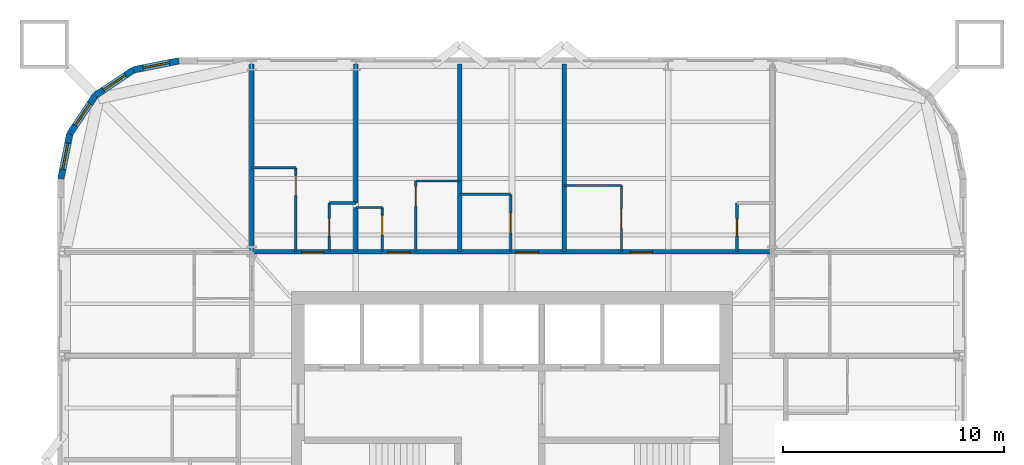
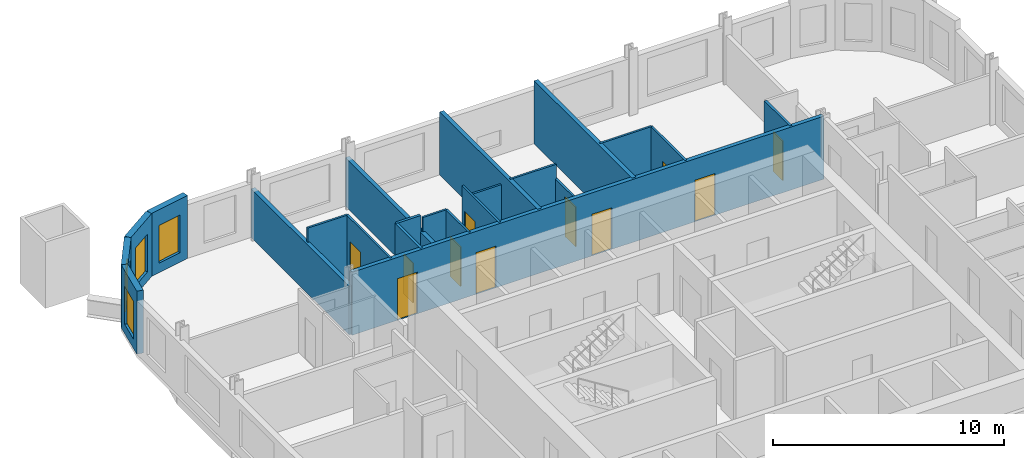
# One storey, part 7 of 9: 23 walls, 11 doors, 4 windows, 15 openings.
"""IFC4 building model written with IfcOpenShell, lengths in metres."""

from ifc_helpers import new_model, si_unit, direction, frame, frame_2d, origin, place, context, subcontext, project, spatial, rectangle, extrude, material, layer, layer_set, type_object, element, fill, save


model = new_model("IFC4")

# Units and contexts
model_context = context("Model", 3, precision=1e-05, world=origin(), true_north=direction((0.0, 1.0)))
body_context = subcontext(model_context, "Body", "Model", "MODEL_VIEW")
ifc_project = project(units=[si_unit("LENGTHUNIT", "METRE"), si_unit("AREAUNIT", "SQUARE_METRE"), si_unit("VOLUMEUNIT", "CUBIC_METRE"), si_unit("PLANEANGLEUNIT", "RADIAN"), si_unit("MASSUNIT", "GRAM", prefix="KILO")], contexts=[model_context])

# Site, building, storey
site_placement = place(None, origin())
site = spatial("IfcSite", under=ifc_project, at=site_placement, CompositionType="ELEMENT")
building_placement = place(site_placement, origin())
building = spatial("IfcBuilding", under=site, at=building_placement, Name="Turquesa Mirador Hotel Tower", CompositionType="ELEMENT")
storey_placement = place(building_placement, frame((0.0, 0.0, 121.39990234375)))
storey = spatial("IfcBuildingStorey", under=building, at=storey_placement, Name="L32", CompositionType="ELEMENT", Elevation=121.39990234375)

# Walls
ifc_material_1 = material(Name="Gypsum board on steel studs", Category="steel")
ifc_layer_1 = layer(ifc_material_1, 0.10009765625)
ifc_layer_set_1 = layer_set([ifc_layer_1], Name="BATHROOM WALL 100")
wall_type_1 = type_object("IfcWallType", Name="BATHROOM WALL 100", PredefinedType="PARTITIONING", material=ifc_layer_set_1)
wall_1_placement = place(storey_placement, frame((47.919921875, 58.800048828125, 0.0), z_axis=(0.0, 0.0, 1.0), x_axis=(1.0, 0.0, 0.0)))
element("IfcWall", 1, at=wall_1_placement, inside=storey, type_object=wall_type_1, Name="Partition L32 024", PredefinedType="PARTITIONING", context=body_context, shape_type="SweptSolid", body=[
    extrude(rectangle(XDim=1.2001953125, YDim=0.10009765625, at=frame_2d((0.60009765625, 0.0))), origin(), (0.0, 0.0, 1.0), 3.330078125),
])
wall_2_placement = place(storey_placement, frame((52.639892578125, 59.39990234375, 0.0), z_axis=(0.0, 0.0, 1.0), x_axis=(1.0, 0.0, 0.0)))
element("IfcWall", 2, at=wall_2_placement, inside=storey, type_object=wall_type_1, Name="Partition L32 027", PredefinedType="PARTITIONING", context=body_context, shape_type="SweptSolid", body=[
    extrude(rectangle(XDim=2.300048828125, YDim=0.10009765625, at=frame_2d((1.14990234375, 0.0))), origin(), (0.0, 0.0, 1.0), 3.330078125),
])
wall_3_placement = place(storey_placement, frame((57.360107421875, 59.800048828125, 0.0), z_axis=(0.0, 0.0, 1.0), x_axis=(1.0, 0.0, 0.0)))
element("IfcWall", 3, at=wall_3_placement, inside=storey, type_object=wall_type_1, Name="Partition L32 028", PredefinedType="PARTITIONING", context=body_context, shape_type="SweptSolid", body=[
    extrude(rectangle(XDim=2.599853515625, YDim=0.10009765625, at=frame_2d((1.2998046875, 0.0))), origin(), (0.0, 0.0, 1.0), 3.330078125),
])
wall_4_placement = place(storey_placement, frame((50.639892578125, 60.0, 0.0), z_axis=(0.0, 0.0, 1.0), x_axis=(1.0, 0.0, 0.0)))
element("IfcWall", 4, at=wall_4_placement, inside=storey, type_object=wall_type_1, Name="Partition L32 029", PredefinedType="PARTITIONING", context=body_context, shape_type="SweptSolid", body=[
    extrude(rectangle(XDim=2.0, YDim=0.10009765625, at=frame_2d((1.0, 0.0))), origin(), (0.0, 0.0, 1.0), 2.730712890625),
])
wall_5_placement = place(storey_placement, frame((43.199951171875, 60.60009765625, 0.0), z_axis=(0.0, 0.0, 1.0), x_axis=(1.0, 0.0, 0.0)))
element("IfcWall", 5, at=wall_5_placement, inside=storey, type_object=wall_type_1, Name="Partition L32 030", PredefinedType="PARTITIONING", context=body_context, shape_type="SweptSolid", body=[
    extrude(rectangle(XDim=2.0, YDim=0.10009765625, at=frame_2d((1.0, 0.0))), origin(), (0.0, 0.0, 1.0), 3.330078125),
])

# Wall, opening, door
wall_6_placement = place(storey_placement, frame((54.93994140625, 56.800048828125, 0.0), z_axis=(0.0, 0.0, 1.0), x_axis=(0.0, 1.0, 0.0)))
wall_6 = element("IfcWall", 6, at=wall_6_placement, inside=storey, type_object=wall_type_1, Name="Partition L32 041", PredefinedType="PARTITIONING", context=body_context, shape_type="SweptSolid", body=[
    extrude(rectangle(XDim=2.599853515625, YDim=0.10009765625, at=frame_2d((1.2998046875, 0.0))), origin(), (0.0, 0.0, 1.0), 2.5732421875),
])
opening_1_placement = place(wall_6_placement, frame((0.85009765625, 0.0, 0.0)))
opening_1 = element("IfcOpeningElement", 7, at=opening_1_placement, cuts=wall_6, Name="Opening D02", PredefinedType="OPENING", context=body_context, shape_type="SweptSolid", body=[
    extrude(rectangle(XDim=0.89990234375, YDim=2.10009765625, at=frame_2d((0.449951171875, 1.050048828125))), frame((0.0, 0.06005859375, 0.0), z_axis=(0.0, -1.0, 0.0), x_axis=(1.0, 0.0, 0.0)), (0.0, 0.0, 1.0), 0.1201171875),
])
ifc_material_2 = material(Name="Timber veneered door", Category="wood")
door_type_1 = type_object("IfcDoorType", Name="DOOR 900X2100 EN-SUITE", OperationType="SINGLE_SWING_RIGHT", PredefinedType="DOOR", material=ifc_material_2)
door_1_placement = place(opening_1_placement, origin())
door_1 = element("IfcDoor", 8, at=door_1_placement, inside=storey, type_object=door_type_1, Name="Door 3203B", OperationType="SINGLE_SWING_RIGHT", OverallHeight=2.10009765625, OverallWidth=0.89990234375, PredefinedType="DOOR", context=body_context, shape_type="SweptSolid", body=[
    extrude(rectangle(XDim=0.89990234375, YDim=2.10009765625, at=frame_2d((0.449951171875, 1.050048828125))), frame((0.0, 0.02490234375, 0.0), z_axis=(0.0, -1.0, 0.0), x_axis=(1.0, 0.0, 0.0)), (0.0, 0.0, 1.0), 0.050048828125),
])
fill(opening_1, door_1)

wall_7_placement = place(storey_placement, frame((50.639892578125, 56.800048828125, 0.0), z_axis=(0.0, 0.0, 1.0), x_axis=(0.0, 1.0, 0.0)))
wall_7 = element("IfcWall", 9, at=wall_7_placement, inside=storey, type_object=wall_type_1, Name="Partition L32 055", PredefinedType="PARTITIONING", context=body_context, shape_type="SweptSolid", body=[
    extrude(rectangle(XDim=3.199951171875, YDim=0.10009765625, at=frame_2d((1.60009765625, 0.0))), origin(), (0.0, 0.0, 1.0), 3.330078125),
])
opening_2_placement = place(wall_7_placement, frame((2.050048828125, 0.0, 0.0)))
opening_2 = element("IfcOpeningElement", 10, at=opening_2_placement, cuts=wall_7, Name="Opening D02", PredefinedType="OPENING", context=body_context, shape_type="SweptSolid", body=[
    extrude(rectangle(XDim=0.89990234375, YDim=2.10009765625, at=frame_2d((0.449951171875, 1.050048828125))), frame((0.0, 0.06005859375, 0.0), z_axis=(0.0, -1.0, 0.0), x_axis=(1.0, 0.0, 0.0)), (0.0, 0.0, 1.0), 0.1201171875),
])
door_2_placement = place(opening_2_placement, origin())
door_2 = element("IfcDoor", 11, at=door_2_placement, inside=storey, type_object=door_type_1, Name="Door 3202B", OperationType="SINGLE_SWING_RIGHT", OverallHeight=2.10009765625, OverallWidth=0.89990234375, PredefinedType="DOOR", context=body_context, shape_type="SweptSolid", body=[
    extrude(rectangle(XDim=0.89990234375, YDim=2.10009765625, at=frame_2d((0.449951171875, 1.050048828125))), frame((0.0, 0.02490234375, 0.0), z_axis=(0.0, -1.0, 0.0), x_axis=(1.0, 0.0, 0.0)), (0.0, 0.0, 1.0), 0.050048828125),
])
fill(opening_2, door_2)

wall_8_placement = place(storey_placement, frame((49.1201171875, 56.800048828125, 0.0), z_axis=(0.0, 0.0, 1.0), x_axis=(0.0, 1.0, 0.0)))
wall_8 = element("IfcWall", 12, at=wall_8_placement, inside=storey, type_object=wall_type_1, Name="Partition L32 057", PredefinedType="PARTITIONING", context=body_context, shape_type="SweptSolid", body=[
    extrude(rectangle(XDim=2.0, YDim=0.10009765625, at=frame_2d((1.0, 0.0))), origin(), (0.0, 0.0, 1.0), 3.330078125),
])
opening_3_placement = place(wall_8_placement, frame((0.75, 0.0, 0.0)))
opening_3 = element("IfcOpeningElement", 13, at=opening_3_placement, cuts=wall_8, Name="Opening D06", PredefinedType="OPENING", context=body_context, shape_type="SweptSolid", body=[
    extrude(rectangle(XDim=0.89990234375, YDim=2.10009765625, at=frame_2d((0.449951171875, 1.050048828125))), frame((0.0, 0.06005859375, 0.0), z_axis=(0.0, -1.0, 0.0), x_axis=(1.0, 0.0, 0.0)), (0.0, 0.0, 1.0), 0.1201171875),
])
ifc_material_3 = material(Name="Laminate door", Category="wood")
door_type_2 = type_object("IfcDoorType", Name="DOOR 900X2100 WC", OperationType="SINGLE_SWING_LEFT", PredefinedType="DOOR", material=ifc_material_3)
door_3_placement = place(opening_3_placement, origin())
door_3 = element("IfcDoor", 14, at=door_3_placement, inside=storey, type_object=door_type_2, Name="Door 3202W", OperationType="SINGLE_SWING_LEFT", OverallHeight=2.10009765625, OverallWidth=0.89990234375, PredefinedType="DOOR", context=body_context, shape_type="SweptSolid", body=[
    extrude(rectangle(XDim=0.89990234375, YDim=2.10009765625, at=frame_2d((0.449951171875, 1.050048828125))), frame((0.0, 0.02490234375, 0.0), z_axis=(0.0, -1.0, 0.0), x_axis=(1.0, 0.0, 0.0)), (0.0, 0.0, 1.0), 0.050048828125),
])
fill(opening_3, door_3)

wall_9_placement = place(storey_placement, frame((45.199951171875, 56.800048828125, 0.0), z_axis=(0.0, 0.0, 1.0), x_axis=(0.0, 1.0, 0.0)))
wall_9 = element("IfcWall", 15, at=wall_9_placement, inside=storey, type_object=wall_type_1, Name="Partition L32 063", PredefinedType="PARTITIONING", context=body_context, shape_type="SweptSolid", body=[
    extrude(rectangle(XDim=3.800048828125, YDim=0.10009765625, at=frame_2d((1.89990234375, 0.0))), origin(), (0.0, 0.0, 1.0), 3.330078125),
])
opening_4_placement = place(wall_9_placement, frame((2.550048828125, 0.0, 0.0)))
opening_4 = element("IfcOpeningElement", 16, at=opening_4_placement, cuts=wall_9, Name="Opening D02", PredefinedType="OPENING", context=body_context, shape_type="SweptSolid", body=[
    extrude(rectangle(XDim=0.89990234375, YDim=2.10009765625, at=frame_2d((0.449951171875, 1.050048828125))), frame((0.0, 0.06005859375, 0.0), z_axis=(0.0, -1.0, 0.0), x_axis=(1.0, 0.0, 0.0)), (0.0, 0.0, 1.0), 0.1201171875),
])
door_4_placement = place(opening_4_placement, origin())
door_4 = element("IfcDoor", 17, at=door_4_placement, inside=storey, type_object=door_type_1, Name="Door 3201B", OperationType="SINGLE_SWING_RIGHT", OverallHeight=2.10009765625, OverallWidth=0.89990234375, PredefinedType="DOOR", context=body_context, shape_type="SweptSolid", body=[
    extrude(rectangle(XDim=0.89990234375, YDim=2.10009765625, at=frame_2d((0.449951171875, 1.050048828125))), frame((0.0, 0.02490234375, 0.0), z_axis=(0.0, -1.0, 0.0), x_axis=(1.0, 0.0, 0.0)), (0.0, 0.0, 1.0), 0.050048828125),
])
fill(opening_4, door_4)

wall_10_placement = place(storey_placement, frame((59.9599609375, 56.800048828125, 0.0), z_axis=(0.0, 0.0, 1.0), x_axis=(0.0, 1.0, 0.0)))
wall_10 = element("IfcWall", 18, at=wall_10_placement, inside=storey, type_object=wall_type_1, Name="Partition L32 081", PredefinedType="PARTITIONING", context=body_context, shape_type="SweptSolid", body=[
    extrude(rectangle(XDim=3.0, YDim=0.10009765625, at=frame_2d((1.5, 0.0))), origin(), (0.0, 0.0, 1.0), 3.330078125),
])
opening_5_placement = place(wall_10_placement, frame((1.050048828125, 0.0, 0.0)))
opening_5 = element("IfcOpeningElement", 19, at=opening_5_placement, cuts=wall_10, Name="Opening D02", PredefinedType="OPENING", context=body_context, shape_type="SweptSolid", body=[
    extrude(rectangle(XDim=0.89990234375, YDim=2.10009765625, at=frame_2d((0.449951171875, 1.050048828125))), frame((0.0, 0.06005859375, 0.0), z_axis=(0.0, -1.0, 0.0), x_axis=(1.0, 0.0, 0.0)), (0.0, 0.0, 1.0), 0.1201171875),
])
door_5_placement = place(opening_5_placement, origin())
door_5 = element("IfcDoor", 20, at=door_5_placement, inside=storey, type_object=door_type_1, Name="Door 3204B", OperationType="SINGLE_SWING_RIGHT", OverallHeight=2.10009765625, OverallWidth=0.89990234375, PredefinedType="DOOR", context=body_context, shape_type="SweptSolid", body=[
    extrude(rectangle(XDim=0.89990234375, YDim=2.10009765625, at=frame_2d((0.449951171875, 1.050048828125))), frame((0.0, 0.02490234375, 0.0), z_axis=(0.0, -1.0, 0.0), x_axis=(1.0, 0.0, 0.0)), (0.0, 0.0, 1.0), 0.050048828125),
])
fill(opening_5, door_5)

# Wall, openings, doors
ifc_material_4 = material(Name="Fire-rated gypsum board on steel studs", Category="steel")
ifc_layer_2 = layer(ifc_material_4, 0.199951171875)
ifc_layer_set_2 = layer_set([ifc_layer_2], Name="CORRIDOR WALL 200")
wall_type_2 = type_object("IfcWallType", Name="CORRIDOR WALL 200", PredefinedType="PARTITIONING", material=ifc_layer_set_2)
wall_11_placement = place(storey_placement, frame((43.199951171875, 56.800048828125, 0.0), z_axis=(0.0, 0.0, 1.0), x_axis=(1.0, 0.0, 0.0)))
wall_11 = element("IfcWall", 21, at=wall_11_placement, inside=storey, type_object=wall_type_2, Name="Partition L32 021", PredefinedType="PARTITIONING", context=body_context, shape_type="SweptSolid", body=[
    extrude(rectangle(XDim=23.60009765625, YDim=0.199951171875, at=frame_2d((11.800048828125, 0.0))), origin(), (0.0, 0.0, 1.0), 3.330078125),
])
opening_6_placement = place(wall_11_placement, frame((2.260009765625, 0.0, 0.0)))
opening_6 = element("IfcOpeningElement", 22, at=opening_6_placement, cuts=wall_11, Name="Opening D01", PredefinedType="OPENING", context=body_context, shape_type="SweptSolid", body=[
    extrude(rectangle(XDim=1.0, YDim=2.199951171875, at=frame_2d((0.5, 1.10009765625))), frame((0.0, 0.10986328125, 0.0), z_axis=(0.0, -1.0, 0.0), x_axis=(1.0, 0.0, 0.0)), (0.0, 0.0, 1.0), 0.219970703125),
])
opening_7_placement = place(wall_11_placement, frame((6.179931640625, 0.0, 0.0)))
opening_7 = element("IfcOpeningElement", 23, at=opening_7_placement, cuts=wall_11, Name="Opening D01", PredefinedType="OPENING", context=body_context, shape_type="SweptSolid", body=[
    extrude(rectangle(XDim=1.0, YDim=2.199951171875, at=frame_2d((0.5, 1.10009765625))), frame((0.0, 0.10986328125, 0.0), z_axis=(0.0, -1.0, 0.0), x_axis=(1.0, 0.0, 0.0)), (0.0, 0.0, 1.0), 0.219970703125),
])
opening_8_placement = place(wall_11_placement, frame((11.989990234375, 0.0, 0.0)))
opening_8 = element("IfcOpeningElement", 24, at=opening_8_placement, cuts=wall_11, Name="Opening D01", PredefinedType="OPENING", context=body_context, shape_type="SweptSolid", body=[
    extrude(rectangle(XDim=1.0, YDim=2.199951171875, at=frame_2d((0.5, 1.10009765625))), frame((0.0, 0.10986328125, 0.0), z_axis=(0.0, -1.0, 0.0), x_axis=(1.0, 0.0, 0.0)), (0.0, 0.0, 1.0), 0.219970703125),
])
opening_9_placement = place(wall_11_placement, frame((17.159912109375, 0.0, 0.0)))
opening_9 = element("IfcOpeningElement", 25, at=opening_9_placement, cuts=wall_11, Name="Opening D01", PredefinedType="OPENING", context=body_context, shape_type="SweptSolid", body=[
    extrude(rectangle(XDim=1.0, YDim=2.199951171875, at=frame_2d((0.5, 1.10009765625))), frame((0.0, 0.10986328125, 0.0), z_axis=(0.0, -1.0, 0.0), x_axis=(1.0, 0.0, 0.0)), (0.0, 0.0, 1.0), 0.219970703125),
])
ifc_material_5 = material(Name="Timber veneered fire door", Category="wood")
door_type_3 = type_object("IfcDoorType", Name="DOOR 1000X2200 GUEST ENTRY", OperationType="SINGLE_SWING_LEFT", PredefinedType="DOOR", material=ifc_material_5)
door_6_placement = place(opening_6_placement, origin())
door_6 = element("IfcDoor", 26, at=door_6_placement, inside=storey, type_object=door_type_3, Name="Door 3201", OperationType="SINGLE_SWING_LEFT", OverallHeight=2.199951171875, OverallWidth=1.0, PredefinedType="DOOR", context=body_context, shape_type="SweptSolid", body=[
    extrude(rectangle(XDim=1.0, YDim=2.199951171875, at=frame_2d((0.5, 1.10009765625))), frame((0.0, 0.02490234375, 0.0), z_axis=(0.0, -1.0, 0.0), x_axis=(1.0, 0.0, 0.0)), (0.0, 0.0, 1.0), 0.050048828125),
])
fill(opening_6, door_6)
door_7_placement = place(opening_7_placement, origin())
door_7 = element("IfcDoor", 27, at=door_7_placement, inside=storey, type_object=door_type_3, Name="Door 3202", OperationType="SINGLE_SWING_LEFT", OverallHeight=2.199951171875, OverallWidth=1.0, PredefinedType="DOOR", context=body_context, shape_type="SweptSolid", body=[
    extrude(rectangle(XDim=1.0, YDim=2.199951171875, at=frame_2d((0.5, 1.10009765625))), frame((0.0, 0.02490234375, 0.0), z_axis=(0.0, -1.0, 0.0), x_axis=(1.0, 0.0, 0.0)), (0.0, 0.0, 1.0), 0.050048828125),
])
fill(opening_7, door_7)
door_8_placement = place(opening_8_placement, origin())
door_8 = element("IfcDoor", 28, at=door_8_placement, inside=storey, type_object=door_type_3, Name="Door 3203", OperationType="SINGLE_SWING_LEFT", OverallHeight=2.199951171875, OverallWidth=1.0, PredefinedType="DOOR", context=body_context, shape_type="SweptSolid", body=[
    extrude(rectangle(XDim=1.0, YDim=2.199951171875, at=frame_2d((0.5, 1.10009765625))), frame((0.0, 0.02490234375, 0.0), z_axis=(0.0, -1.0, 0.0), x_axis=(1.0, 0.0, 0.0)), (0.0, 0.0, 1.0), 0.050048828125),
])
fill(opening_8, door_8)
door_9_placement = place(opening_9_placement, origin())
door_9 = element("IfcDoor", 29, at=door_9_placement, inside=storey, type_object=door_type_3, Name="Door 3204", OperationType="SINGLE_SWING_LEFT", OverallHeight=2.199951171875, OverallWidth=1.0, PredefinedType="DOOR", context=body_context, shape_type="SweptSolid", body=[
    extrude(rectangle(XDim=1.0, YDim=2.199951171875, at=frame_2d((0.5, 1.10009765625))), frame((0.0, 0.02490234375, 0.0), z_axis=(0.0, -1.0, 0.0), x_axis=(1.0, 0.0, 0.0)), (0.0, 0.0, 1.0), 0.050048828125),
])
fill(opening_9, door_9)

# Wall, opening, window
ifc_material_6 = material(Name="Limestone cladding on concrete block", Category="masonry")
ifc_layer_3 = layer(ifc_material_6, 0.300048828125)
ifc_layer_set_3 = layer_set([ifc_layer_3], Name="FACADE WALL 300 STONE SCREEN")
wall_type_3 = type_object("IfcWallType", Name="FACADE WALL 300 STONE SCREEN", PredefinedType="SOLIDWALL", material=ifc_layer_set_3)
wall_12_placement = place(storey_placement, frame((39.89990234375, 65.449951171875, 0.0), z_axis=(0.0, 0.0, 1.0), x_axis=(-0.980787050784, -0.195081421501, 0.0)))
wall_12 = element("IfcWall", 30, at=wall_12_placement, inside=storey, type_object=wall_type_3, Name="Facade wall L32 10", PredefinedType="SOLIDWALL", context=body_context, shape_type="SweptSolid", body=[
    extrude(rectangle(XDim=2.08740234375, YDim=0.300048828125, at=frame_2d((1.043701171875, 0.0))), origin(), (0.0, 0.0, 1.0), 3.330078125),
])
opening_10_placement = place(wall_12_placement, frame((0.443603515625, 0.0, 0.5)))
opening_10 = element("IfcOpeningElement", 31, at=opening_10_placement, cuts=wall_12, Name="Opening WN4", PredefinedType="OPENING", context=body_context, shape_type="SweptSolid", body=[
    extrude(rectangle(XDim=1.199951171875, YDim=2.0, at=frame_2d((0.60009765625, 1.0))), frame((0.0, 0.159912109375, 0.0), z_axis=(0.0, -1.0, 0.0), x_axis=(1.0, 0.0, 0.0)), (0.0, 0.0, 1.0), 0.320068359375),
])
ifc_material_7 = material(Name="Ceramic-fritted laminated glass", Category="glass")
window_type = type_object("IfcWindowType", Name="FRITTED CORNER WINDOW 1200X2000", PartitioningType="DOUBLE_PANEL_HORIZONTAL", PredefinedType="WINDOW", material=ifc_material_7)
window_1_placement = place(opening_10_placement, origin())
window_1 = element("IfcWindow", 32, at=window_1_placement, inside=storey, type_object=window_type, Name="Window L32", OverallHeight=2.0, OverallWidth=1.199951171875, PartitioningType="SINGLE_PANEL", PredefinedType="WINDOW", context=body_context, shape_type="SweptSolid", body=[
    extrude(rectangle(XDim=1.199951171875, YDim=2.0, at=frame_2d((0.60009765625, 1.0))), frame((0.0, 0.030029296875, 0.0), z_axis=(0.0, -1.0, 0.0), x_axis=(1.0, 0.0, 0.0)), (0.0, 0.0, 1.0), 0.06005859375),
])
fill(opening_10, window_1)

wall_13_placement = place(storey_placement, frame((37.8525390625, 65.042724609375, 0.0), z_axis=(0.0, 0.0, 1.0), x_axis=(-0.831474039234, -0.555563607591, 0.0)))
wall_13 = element("IfcWall", 33, at=wall_13_placement, inside=storey, type_object=wall_type_3, Name="Facade wall L32 11", PredefinedType="SOLIDWALL", context=body_context, shape_type="SweptSolid", body=[
    extrude(rectangle(XDim=2.08740234375, YDim=0.300048828125, at=frame_2d((1.043701171875, 0.0))), origin(), (0.0, 0.0, 1.0), 3.330078125),
])
opening_11_placement = place(wall_13_placement, frame((0.443603515625, 0.0, 0.5)))
opening_11 = element("IfcOpeningElement", 34, at=opening_11_placement, cuts=wall_13, Name="Opening WN4", PredefinedType="OPENING", context=body_context, shape_type="SweptSolid", body=[
    extrude(rectangle(XDim=1.199951171875, YDim=2.0, at=frame_2d((0.60009765625, 1.0))), frame((0.0, 0.159912109375, 0.0), z_axis=(0.0, -1.0, 0.0), x_axis=(1.0, 0.0, 0.0)), (0.0, 0.0, 1.0), 0.320068359375),
])
window_2_placement = place(opening_11_placement, origin())
window_2 = element("IfcWindow", 35, at=window_2_placement, inside=storey, type_object=window_type, Name="Window L32", OverallHeight=2.0, OverallWidth=1.199951171875, PartitioningType="SINGLE_PANEL", PredefinedType="WINDOW", context=body_context, shape_type="SweptSolid", body=[
    extrude(rectangle(XDim=1.199951171875, YDim=2.0, at=frame_2d((0.60009765625, 1.0))), frame((0.0, 0.030029296875, 0.0), z_axis=(0.0, -1.0, 0.0), x_axis=(1.0, 0.0, 0.0)), (0.0, 0.0, 1.0), 0.06005859375),
])
fill(opening_11, window_2)

wall_14_placement = place(storey_placement, frame((36.116943359375, 63.883056640625, 0.0), z_axis=(0.0, 0.0, 1.0), x_axis=(-0.555563607591, -0.831474039234, 0.0)))
wall_14 = element("IfcWall", 36, at=wall_14_placement, inside=storey, type_object=wall_type_3, Name="Facade wall L32 12", PredefinedType="SOLIDWALL", context=body_context, shape_type="SweptSolid", body=[
    extrude(rectangle(XDim=2.08740234375, YDim=0.300048828125, at=frame_2d((1.043701171875, 0.0))), origin(), (0.0, 0.0, 1.0), 3.330078125),
])
opening_12_placement = place(wall_14_placement, frame((0.443603515625, 0.0, 0.5)))
opening_12 = element("IfcOpeningElement", 37, at=opening_12_placement, cuts=wall_14, Name="Opening WN4", PredefinedType="OPENING", context=body_context, shape_type="SweptSolid", body=[
    extrude(rectangle(XDim=1.199951171875, YDim=2.0, at=frame_2d((0.60009765625, 1.0))), frame((0.0, 0.159912109375, 0.0), z_axis=(0.0, -1.0, 0.0), x_axis=(1.0, 0.0, 0.0)), (0.0, 0.0, 1.0), 0.320068359375),
])
window_3_placement = place(opening_12_placement, origin())
window_3 = element("IfcWindow", 38, at=window_3_placement, inside=storey, type_object=window_type, Name="Window L32", OverallHeight=2.0, OverallWidth=1.199951171875, PartitioningType="SINGLE_PANEL", PredefinedType="WINDOW", context=body_context, shape_type="SweptSolid", body=[
    extrude(rectangle(XDim=1.199951171875, YDim=2.0, at=frame_2d((0.60009765625, 1.0))), frame((0.0, 0.030029296875, 0.0), z_axis=(0.0, -1.0, 0.0), x_axis=(1.0, 0.0, 0.0)), (0.0, 0.0, 1.0), 0.06005859375),
])
fill(opening_12, window_3)

wall_15_placement = place(storey_placement, frame((34.957275390625, 62.1474609375, 0.0), z_axis=(0.0, 0.0, 1.0), x_axis=(-0.195081421501, -0.980787050784, 0.0)))
wall_15 = element("IfcWall", 39, at=wall_15_placement, inside=storey, type_object=wall_type_3, Name="Facade wall L32 13", PredefinedType="SOLIDWALL", context=body_context, shape_type="SweptSolid", body=[
    extrude(rectangle(XDim=2.08740234375, YDim=0.300048828125, at=frame_2d((1.043701171875, 0.0))), origin(), (0.0, 0.0, 1.0), 3.330078125),
])
opening_13_placement = place(wall_15_placement, frame((0.443603515625, 0.0, 0.5)))
opening_13 = element("IfcOpeningElement", 40, at=opening_13_placement, cuts=wall_15, Name="Opening WN4", PredefinedType="OPENING", context=body_context, shape_type="SweptSolid", body=[
    extrude(rectangle(XDim=1.199951171875, YDim=2.0, at=frame_2d((0.60009765625, 1.0))), frame((0.0, 0.159912109375, 0.0), z_axis=(0.0, -1.0, 0.0), x_axis=(1.0, 0.0, 0.0)), (0.0, 0.0, 1.0), 0.320068359375),
])
window_4_placement = place(opening_13_placement, origin())
window_4 = element("IfcWindow", 41, at=window_4_placement, inside=storey, type_object=window_type, Name="Window L32", OverallHeight=2.0, OverallWidth=1.199951171875, PartitioningType="SINGLE_PANEL", PredefinedType="WINDOW", context=body_context, shape_type="SweptSolid", body=[
    extrude(rectangle(XDim=1.199951171875, YDim=2.0, at=frame_2d((0.60009765625, 1.0))), frame((0.0, 0.030029296875, 0.0), z_axis=(0.0, -1.0, 0.0), x_axis=(1.0, 0.0, 0.0)), (0.0, 0.0, 1.0), 0.06005859375),
])
fill(opening_13, window_4)

# Walls
ifc_material_8 = material(Name="Fire-rated gypsum board on steel studs", Category="steel")
ifc_layer_4 = layer(ifc_material_8, 0.199951171875)
ifc_layer_set_4 = layer_set([ifc_layer_4], Name="PARTY WALL 200")
wall_type_4 = type_object("IfcWallType", Name="PARTY WALL 200", PredefinedType="PARTITIONING", material=ifc_layer_set_4)
wall_16_placement = place(storey_placement, frame((43.199951171875, 56.800048828125, 0.0), z_axis=(0.0, 0.0, 1.0), x_axis=(0.0, 1.0, 0.0)))
element("IfcWall", 42, at=wall_16_placement, inside=storey, type_object=wall_type_4, Name="Partition L32 045", PredefinedType="PARTITIONING", context=body_context, shape_type="SweptSolid", body=[
    extrude(rectangle(XDim=8.5, YDim=0.199951171875, at=frame_2d((4.25, 0.0))), origin(), (0.0, 0.0, 1.0), 2.5732421875),
])
wall_17_placement = place(storey_placement, frame((52.639892578125, 56.800048828125, 0.0), z_axis=(0.0, 0.0, 1.0), x_axis=(0.0, 1.0, 0.0)))
element("IfcWall", 43, at=wall_17_placement, inside=storey, type_object=wall_type_4, Name="Partition L32 054", PredefinedType="PARTITIONING", context=body_context, shape_type="SweptSolid", body=[
    extrude(rectangle(XDim=8.5, YDim=0.199951171875, at=frame_2d((4.25, 0.0))), origin(), (0.0, 0.0, 1.0), 3.330078125),
])
wall_18_placement = place(storey_placement, frame((47.919921875, 56.800048828125, 0.0), z_axis=(0.0, 0.0, 1.0), x_axis=(0.0, 1.0, 0.0)))
element("IfcWall", 44, at=wall_18_placement, inside=storey, type_object=wall_type_4, Name="Partition L32 059", PredefinedType="PARTITIONING", context=body_context, shape_type="SweptSolid", body=[
    extrude(rectangle(XDim=2.0, YDim=0.199951171875, at=frame_2d((1.0, 0.0))), origin(), (0.0, 0.0, 1.0), 2.5732421875),
])
wall_19_placement = place(storey_placement, frame((47.919921875, 59.0, 0.0), z_axis=(0.0, 0.0, 1.0), x_axis=(0.0, 1.0, 0.0)))
element("IfcWall", 45, at=wall_19_placement, inside=storey, type_object=wall_type_4, Name="Partition L32 060", PredefinedType="PARTITIONING", context=body_context, shape_type="SweptSolid", body=[
    extrude(rectangle(XDim=6.300048828125, YDim=0.199951171875, at=frame_2d((3.14990234375, 0.0))), origin(), (0.0, 0.0, 1.0), 2.5732421875),
])
wall_20_placement = place(storey_placement, frame((57.360107421875, 56.800048828125, 0.0), z_axis=(0.0, 0.0, 1.0), x_axis=(0.0, 1.0, 0.0)))
element("IfcWall", 46, at=wall_20_placement, inside=storey, type_object=wall_type_4, Name="Partition L32 078", PredefinedType="PARTITIONING", context=body_context, shape_type="SweptSolid", body=[
    extrude(rectangle(XDim=8.5, YDim=0.199951171875, at=frame_2d((4.25, 0.0))), origin(), (0.0, 0.0, 1.0), 3.330078125),
])
ifc_material_9 = material(Name="Acoustic gypsum board on steel studs", Category="steel")
ifc_layer_5 = layer(ifc_material_9, 0.125)
ifc_layer_set_5 = layer_set([ifc_layer_5], Name="SUITE PARTITION 125")
wall_type_5 = type_object("IfcWallType", Name="SUITE PARTITION 125", PredefinedType="PARTITIONING", material=ifc_layer_set_5)
wall_21_placement = place(storey_placement, frame((46.719970703125, 59.0, 0.0), z_axis=(0.0, 0.0, 1.0), x_axis=(1.0, 0.0, 0.0)))
element("IfcWall", 47, at=wall_21_placement, inside=storey, type_object=wall_type_5, Name="Partition L32 025", PredefinedType="PARTITIONING", context=body_context, shape_type="SweptSolid", body=[
    extrude(rectangle(XDim=1.199951171875, YDim=0.125, at=frame_2d((0.60009765625, 0.0))), origin(), (0.0, 0.0, 1.0), 3.330078125),
])

# Wall, opening, door
wall_22_placement = place(storey_placement, frame((46.719970703125, 56.800048828125, 0.0), z_axis=(0.0, 0.0, 1.0), x_axis=(0.0, 1.0, 0.0)))
wall_22 = element("IfcWall", 48, at=wall_22_placement, inside=storey, type_object=wall_type_5, Name="Partition L32 061", PredefinedType="PARTITIONING", context=body_context, shape_type="SweptSolid", body=[
    extrude(rectangle(XDim=2.199951171875, YDim=0.125, at=frame_2d((1.10009765625, 0.0))), origin(), (0.0, 0.0, 1.0), 3.330078125),
])
opening_14_placement = place(wall_22_placement, frame((0.699951171875, 0.0, 0.0)))
opening_14 = element("IfcOpeningElement", 49, at=opening_14_placement, cuts=wall_22, Name="Opening D20", PredefinedType="OPENING", context=body_context, shape_type="SweptSolid", body=[
    extrude(rectangle(XDim=0.800048828125, YDim=2.10009765625, at=frame_2d((0.39990234375, 1.050048828125))), frame((0.0, 0.072509765625, 0.0), z_axis=(0.0, -1.0, 0.0), x_axis=(1.0, 0.0, 0.0)), (0.0, 0.0, 1.0), 0.14501953125),
])
ifc_material_10 = material(Name="Timber veneered sliding door", Category="wood")
door_type_4 = type_object("IfcDoorType", Name="DOOR 800X2100 WARDROBE", OperationType="SLIDING_TO_LEFT", PredefinedType="DOOR", material=ifc_material_10)
door_10_placement = place(opening_14_placement, origin())
door_10 = element("IfcDoor", 50, at=door_10_placement, inside=storey, type_object=door_type_4, Name="Door 3201W", OperationType="SLIDING_TO_LEFT", OverallHeight=2.10009765625, OverallWidth=0.800048828125, PredefinedType="DOOR", context=body_context, shape_type="SweptSolid", body=[
    extrude(rectangle(XDim=0.800048828125, YDim=2.10009765625, at=frame_2d((0.39990234375, 1.050048828125))), frame((0.0, 0.02490234375, 0.0), z_axis=(0.0, -1.0, 0.0), x_axis=(1.0, 0.0, 0.0)), (0.0, 0.0, 1.0), 0.050048828125),
])
fill(opening_14, door_10)

wall_23_placement = place(storey_placement, frame((65.199951171875, 56.800048828125, 0.0), z_axis=(0.0, 0.0, 1.0), x_axis=(0.0, 1.0, 0.0)))
wall_23 = element("IfcWall", 51, at=wall_23_placement, inside=storey, type_object=wall_type_5, Name="Partition L32 064", PredefinedType="PARTITIONING", context=body_context, shape_type="SweptSolid", body=[
    extrude(rectangle(XDim=2.199951171875, YDim=0.125, at=frame_2d((1.10009765625, 0.0))), origin(), (0.0, 0.0, 1.0), 3.330078125),
])
opening_15_placement = place(wall_23_placement, frame((0.699951171875, 0.0, 0.0)))
opening_15 = element("IfcOpeningElement", 52, at=opening_15_placement, cuts=wall_23, Name="Opening D20", PredefinedType="OPENING", context=body_context, shape_type="SweptSolid", body=[
    extrude(rectangle(XDim=0.800048828125, YDim=2.10009765625, at=frame_2d((0.39990234375, 1.050048828125))), frame((0.0, 0.072509765625, 0.0), z_axis=(0.0, -1.0, 0.0), x_axis=(1.0, 0.0, 0.0)), (0.0, 0.0, 1.0), 0.14501953125),
])
door_11_placement = place(opening_15_placement, origin())
door_11 = element("IfcDoor", 53, at=door_11_placement, inside=storey, type_object=door_type_4, Name="Door 3204W", OperationType="SLIDING_TO_LEFT", OverallHeight=2.10009765625, OverallWidth=0.800048828125, PredefinedType="DOOR", context=body_context, shape_type="SweptSolid", body=[
    extrude(rectangle(XDim=0.800048828125, YDim=2.10009765625, at=frame_2d((0.39990234375, 1.050048828125))), frame((0.0, 0.02490234375, 0.0), z_axis=(0.0, -1.0, 0.0), x_axis=(1.0, 0.0, 0.0)), (0.0, 0.0, 1.0), 0.050048828125),
])
fill(opening_15, door_11)

save(model, "model.ifc")
